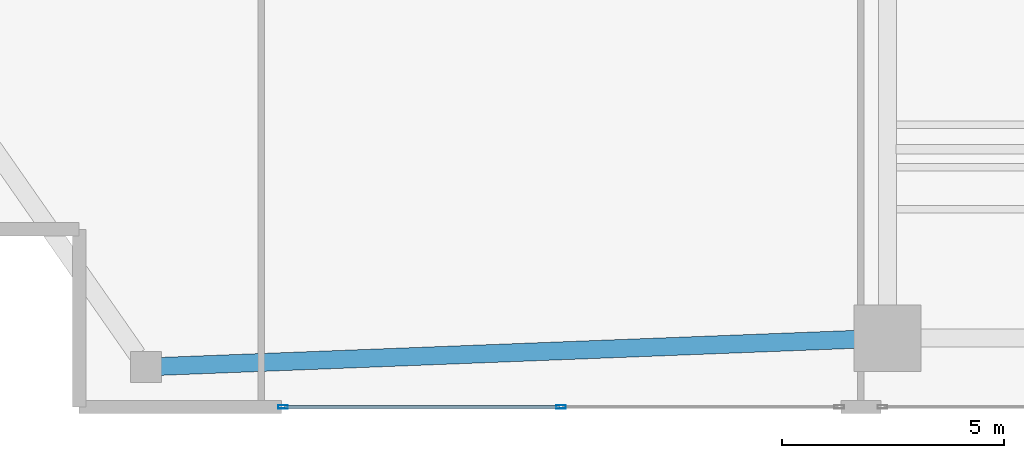
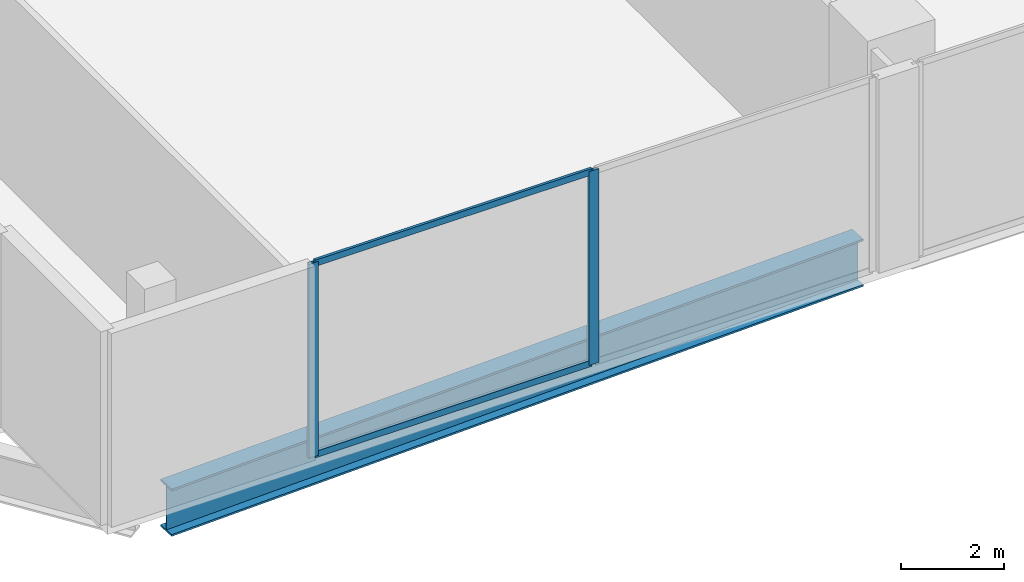
# One storey, part 2 of 28: 4 members, 1 beam, 1 element without a shape of its own.
"""IFC4 building model written with IfcOpenShell, lengths in metres."""

from ifc_helpers import new_model, si_unit, direction, frame, origin, origin_2d, place, context, subcontext, project, spatial, hollow_rectangle, i_section, extrude, material, layer, layer_set, material_profile, profile_set, type_object, element, aggregate, save


model = new_model("IFC4")

# Units and contexts
model_context = context("Model", 3, precision=1e-05, world=origin(), true_north=direction((0.0, 1.0)))
body_context = subcontext(model_context, "Body", "Model", "MODEL_VIEW")
ifc_project = project(units=[si_unit("LENGTHUNIT", "METRE"), si_unit("AREAUNIT", "SQUARE_METRE"), si_unit("VOLUMEUNIT", "CUBIC_METRE"), si_unit("PLANEANGLEUNIT", "RADIAN"), si_unit("MASSUNIT", "GRAM", prefix="KILO")], contexts=[model_context])

# Site, building, storey
site_placement = place(None, origin())
site = spatial("IfcSite", under=ifc_project, at=site_placement, CompositionType="ELEMENT")
building_placement = place(site_placement, origin())
building = spatial("IfcBuilding", under=site, at=building_placement, Name="Zuhayl Quay Hotel", CompositionType="ELEMENT")
storey_placement = place(building_placement, frame((0.0, 0.0, 22.800048828125)))
storey = spatial("IfcBuildingStorey", under=building, at=storey_placement, Name="L04", CompositionType="ELEMENT", Elevation=22.800048828125)

# Beam
ifc_material_1 = material(Name="Steel ASTM A913 Grade 65", Category="steel")
ifc_material_profile_1 = material_profile(ifc_material_1, i_section(OverallWidth=0.404052734375, OverallDepth=1.117919921875, WebThickness=0.026123046875, FlangeThickness=0.044921875, at=origin_2d()), Name="W44X335")
ifc_profile_set_1 = profile_set([ifc_material_profile_1], Name="Steel ASTM A913 Grade 65")
beam_type = type_object("IfcBeamType", Name="BM_TG1_W44X335", PredefinedType="BEAM", material=ifc_profile_set_1)
beam_placement = place(storey_placement, frame((-30.160400390625, -23.0869140625, -0.819091796875), z_axis=(0.999243175194, 0.038898288239, 0.0), x_axis=(-0.038898288239, 0.999243175194, 0.0)))
element("IfcBeam", 1, at=beam_placement, inside=storey, type_object=beam_type, Name="L04 Floor Beam PG_S_L04_0", PredefinedType="BEAM", context=body_context, shape_type="SweptSolid", body=[
    extrude(i_section(OverallWidth=0.404052734375, OverallDepth=1.117919921875, WebThickness=0.026123046875, FlangeThickness=0.044921875, at=origin_2d()), origin(), (0.0, 0.0, 1.0), 15.82275390625),
])

# Curtain wall, members
ifc_material_2 = material(Name="Anodised Aluminium 6063-T6", Category="aluminium")
ifc_layer = layer(ifc_material_2, 0.199951171875, Name="Anodised Aluminium 6063-T6", Category="aluminium")
ifc_layer_set = layer_set([ifc_layer], Name="Anodised Aluminium 6063-T6")
curtain_wall_type = type_object("IfcCurtainWallType", Name="CW_SYS_POD", PredefinedType="USERDEFINED", material=ifc_layer_set)
curtain_wall_placement = place(storey_placement, origin())
curtain_wall = element("IfcCurtainWall", 2, at=curtain_wall_placement, inside=storey, type_object=curtain_wall_type, Name="L04 Curtain Wall ENV_L04_E11_CW3", ObjectType="UNITISED CURTAIN WALL", PredefinedType="USERDEFINED")
ifc_material_3 = material(Name="Black-anodised aluminium 6063-T6", Category="aluminium")
ifc_material_profile_2 = material_profile(ifc_material_3, hollow_rectangle(XDim=0.074951171875, YDim=0.219970703125, WallThickness=0.00390625, at=origin_2d()), Name="ALU220X75")
ifc_profile_set_2 = profile_set([ifc_material_profile_2], Name="Black-anodised aluminium 6063-T6")
member_type_1 = type_object("IfcMemberType", Name="MB_CW_MUL_220", PredefinedType="MULLION", material=ifc_profile_set_2)
member_1_placement = place(storey_placement, frame((-21.14990234375, -24.0, 0.0), z_axis=(0.0, 0.0, 1.0), x_axis=(0.0, -1.0, 0.0)))
member_1 = element("IfcMember", 3, at=member_1_placement, type_object=member_type_1, Name="CW-POD mullion 2", PredefinedType="MULLION", context=body_context, shape_type="SweptSolid", body=[
    extrude(hollow_rectangle(XDim=0.074951171875, YDim=0.219970703125, WallThickness=0.00390625, at=origin_2d()), origin(), (0.0, 0.0, 1.0), 4.579833984375),
])
member_2_placement = place(storey_placement, frame((-27.41259765625, -24.0, 0.0), z_axis=(0.0, 0.0, 1.0), x_axis=(0.0, -1.0, 0.0)))
member_2 = element("IfcMember", 4, at=member_2_placement, type_object=member_type_1, Name="CW-POD mullion 3", PredefinedType="MULLION", context=body_context, shape_type="SweptSolid", body=[
    extrude(hollow_rectangle(XDim=0.074951171875, YDim=0.219970703125, WallThickness=0.00390625, at=origin_2d()), origin(), (0.0, 0.0, 1.0), 4.579833984375),
])
ifc_material_profile_3 = material_profile(ifc_material_3, hollow_rectangle(XDim=0.06005859375, YDim=0.14990234375, WallThickness=0.00341796875, at=origin_2d()), Name="ALU150X60")
ifc_profile_set_3 = profile_set([ifc_material_profile_3], Name="Black-anodised aluminium 6063-T6")
member_type_2 = type_object("IfcMemberType", Name="MB_CW_TRN_150", PredefinedType="USERDEFINED", material=ifc_profile_set_3)
member_3_placement = place(storey_placement, frame((-21.1875, -24.0, 0.030029296875), z_axis=(-1.0, 0.0, 0.0), x_axis=(0.0, -1.0, 0.0)))
member_3 = element("IfcMember", 5, at=member_3_placement, type_object=member_type_2, Name="CW-POD transom 2.1", ObjectType="TRANSOM", PredefinedType="USERDEFINED", context=body_context, shape_type="SweptSolid", body=[
    extrude(hollow_rectangle(XDim=0.06005859375, YDim=0.14990234375, WallThickness=0.00341796875, at=origin_2d()), origin(), (0.0, 0.0, 1.0), 6.1875),
])
member_4_placement = place(storey_placement, frame((-21.1875, -24.0, 4.550048828125), z_axis=(-1.0, 0.0, 0.0), x_axis=(0.0, -1.0, 0.0)))
member_4 = element("IfcMember", 6, at=member_4_placement, type_object=member_type_2, Name="CW-POD transom 2.2", ObjectType="TRANSOM", PredefinedType="USERDEFINED", context=body_context, shape_type="SweptSolid", body=[
    extrude(hollow_rectangle(XDim=0.06005859375, YDim=0.14990234375, WallThickness=0.00341796875, at=origin_2d()), origin(), (0.0, 0.0, 1.0), 6.1875),
])
aggregate(curtain_wall, [member_1, member_2, member_3, member_4])

save(model, "model.ifc")
